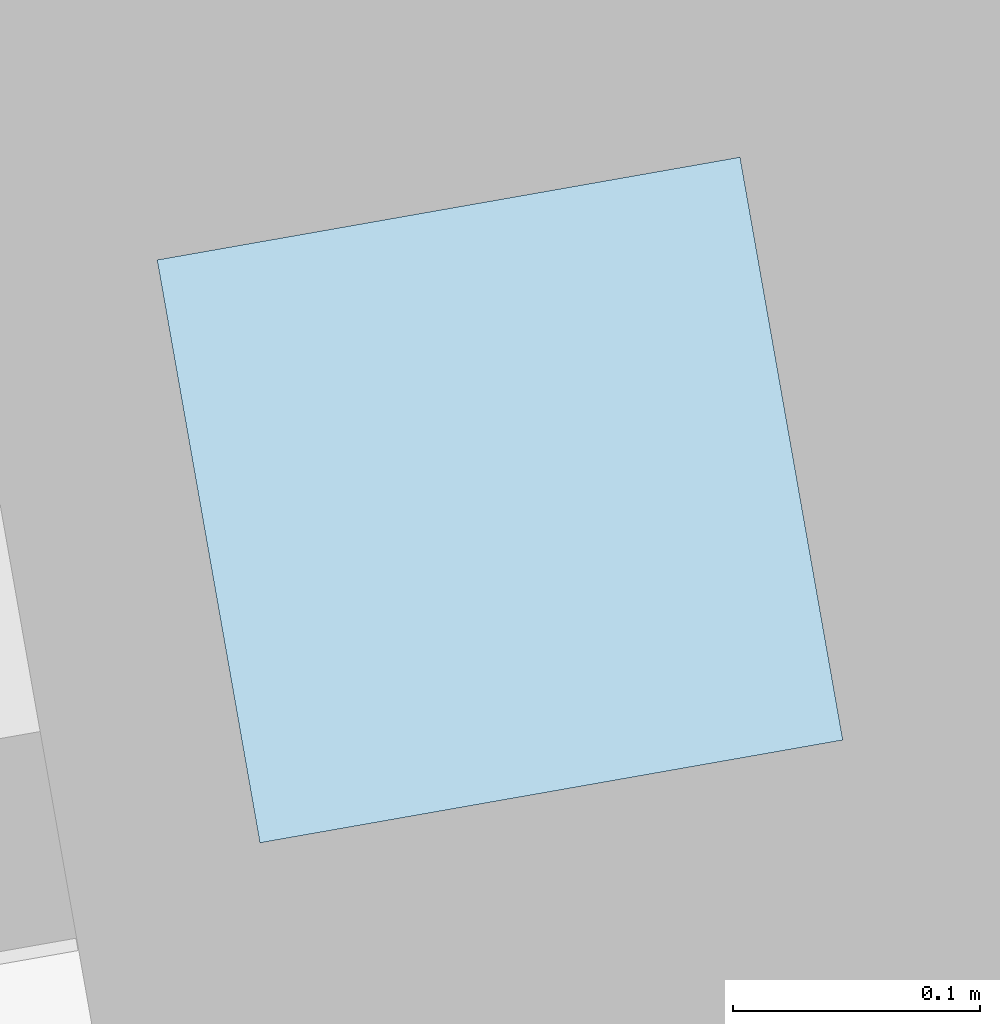
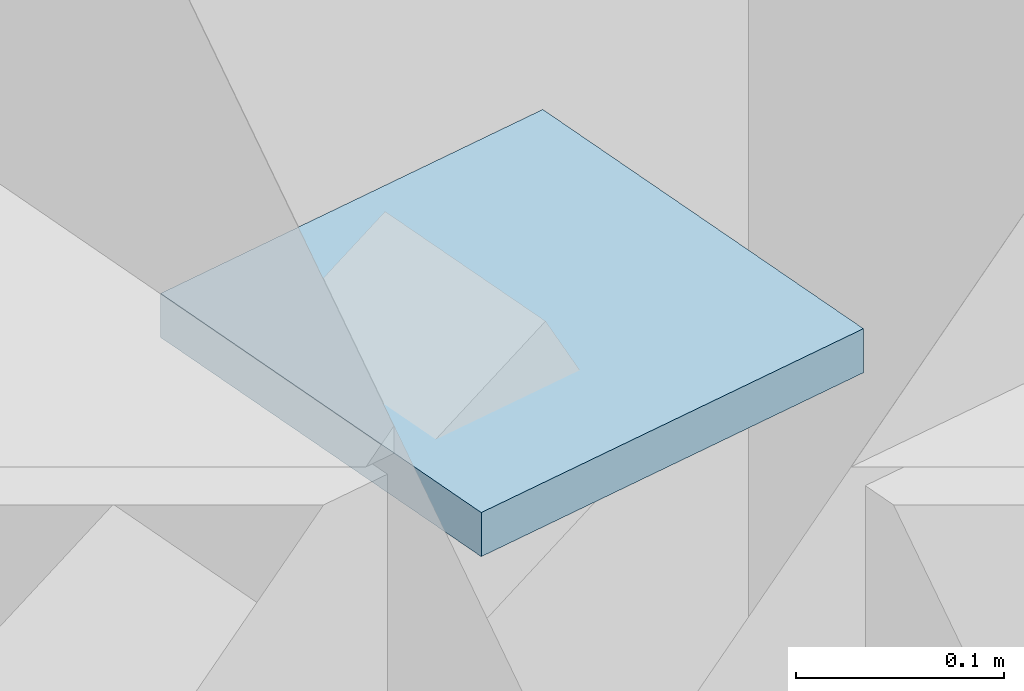
# One storey, part 24 of 36: 1 plate.
"""IFC4 building model written with IfcOpenShell, lengths in metres."""

import ifcopenshell
import ifcopenshell.guid

model = None  # the IFC model being written
_history = None  # IfcOwnerHistory: only IFC2X3 demands one
_inside = {}  # id of a spatial element -> (the spatial element, [elements in it])
_under = {}  # id of a project, library or spatial element -> (it, [spatial elements below it])
_declared = {}  # id of a project -> (the project, [libraries it declares])
_typed = {}  # id of a type object -> (the type object, [elements of that type])
_made_of = {}  # id of a material, layer set ... -> (it, [elements and type objects made of it])


def new_model(schema):
    """Start an empty IFC model of exactly this schema.

    Asked for "IFC4X3", IfcOpenShell would pick the latest addendum, in which some entities
    have other attributes; the version numbers below select the first issue.
    IFC2X3 requires an IfcOwnerHistory on every rooted entity: one is made here for all.
    """
    global model, _history
    if schema == "IFC4X3":
        model = ifcopenshell.file(schema_version=(4, 3, 0, 0))
    else:
        model = ifcopenshell.file(schema=schema)
    _inside.clear()
    _under.clear()
    _declared.clear()
    _typed.clear()
    _made_of.clear()
    _history = None
    if model.schema == "IFC2X3":
        org = make("IfcOrganization", Name="unknown")
        user = make(
            "IfcPersonAndOrganization",
            ThePerson=make("IfcPerson", FamilyName="unknown"),
            TheOrganization=org,
        )
        app = make(
            "IfcApplication",
            ApplicationDeveloper=org,
            Version="unknown",
            ApplicationFullName="unknown",
            ApplicationIdentifier="unknown",
        )
        _history = make(
            "IfcOwnerHistory",
            OwningUser=user,
            OwningApplication=app,
            ChangeAction="ADDED",
            CreationDate=0,
        )
    return model


def make(cls, **values):
    """One entity of the class cls with the attributes given. An attribute that is None is left unset."""
    return model.create_entity(
        cls, **{name: value for name, value in values.items() if value is not None}
    )


def rooted(cls, **values):
    """An entity with a GlobalId (a new one), such as an element, a storey or a relation."""
    return make(cls, GlobalId=ifcopenshell.guid.new(), OwnerHistory=_history, **values)


def si_unit(unit_type, name, prefix=None):
    """IfcSIUnit, for example si_unit("LENGTHUNIT", "METRE", prefix="MILLI")."""
    return make("IfcSIUnit", UnitType=unit_type, Prefix=prefix, Name=name)


def assignment(units):
    """IfcUnitAssignment: the units of a project."""
    return None if units is None else make("IfcUnitAssignment", Units=units)


def point(xyz):
    """IfcCartesianPoint."""
    return None if xyz is None else make("IfcCartesianPoint", Coordinates=xyz)


def direction(xyz):
    """IfcDirection."""
    return None if xyz is None else make("IfcDirection", DirectionRatios=xyz)


def frame(location, z_axis=None, x_axis=None):
    """IfcAxis2Placement3D, a coordinate frame: its origin and axes. An axis left out is left unset."""
    return make(
        "IfcAxis2Placement3D",
        Location=point(location),
        Axis=direction(z_axis),
        RefDirection=direction(x_axis),
    )


def frame_2d(location, x_axis=None):
    """IfcAxis2Placement2D, a coordinate frame in the plane: its origin and x axis."""
    return make(
        "IfcAxis2Placement2D", Location=point(location), RefDirection=direction(x_axis)
    )


def origin():
    """The frame at (0, 0, 0) with its axes left unset."""
    return frame((0.0, 0.0, 0.0))


def origin_2d():
    """The frame at (0, 0) in the plane with its x axis left unset."""
    return frame_2d((0.0, 0.0))


def place(relative_to, where):
    """IfcLocalPlacement: puts the frame where relative to a parent placement (None: the world)."""
    return make(
        "IfcLocalPlacement", PlacementRelTo=relative_to, RelativePlacement=where
    )


def context(
    kind, dimensions, precision=None, world=None, true_north=None, identifier=None
):
    """IfcGeometricRepresentationContext, for example the 3D "Model" context."""
    return make(
        "IfcGeometricRepresentationContext",
        ContextIdentifier=identifier,
        ContextType=kind,
        CoordinateSpaceDimension=dimensions,
        Precision=precision,
        WorldCoordinateSystem=world,
        TrueNorth=true_north,
    )


def subcontext(parent, identifier, kind, view, scale=None):
    """IfcGeometricRepresentationSubContext, for example "Body" below "Model"."""
    return make(
        "IfcGeometricRepresentationSubContext",
        ContextIdentifier=identifier,
        ContextType=kind,
        ParentContext=parent,
        TargetScale=scale,
        TargetView=view,
    )


def project(units=None, contexts=None):
    """IfcProject with its units and contexts."""
    return rooted(
        "IfcProject",
        Name="project",
        RepresentationContexts=contexts,
        UnitsInContext=assignment(units),
    )


def spatial(cls, under=None, at=None, **own):
    """A site, building, storey or space (cls), placed at a placement, below another one or the project."""
    s = rooted(cls, ObjectPlacement=at, **own)
    if under is not None:
        _under.setdefault(under.id(), (under, []))[1].append(s)
    return s


def profile(cls, at=None, kind="AREA", **sizes):
    """A parametric profile (cls). Its sizes go by their IFC names, for example OverallWidth=200.0."""
    return make(cls, ProfileType=kind, Position=at, **sizes)


def rectangle(**sizes):
    """IfcRectangleProfileDef."""
    return profile("IfcRectangleProfileDef", **sizes)


def extrude(swept, where, along, depth):
    """IfcExtrudedAreaSolid: the profile swept, set in the frame where, extruded along a direction by depth."""
    return make(
        "IfcExtrudedAreaSolid",
        SweptArea=swept,
        Position=where,
        ExtrudedDirection=direction(along),
        Depth=depth,
    )


def shape(context_of_items, identifier, shape_type, items):
    """IfcShapeRepresentation: the items that make up one representation, for example the "Body"."""
    return make(
        "IfcShapeRepresentation",
        ContextOfItems=context_of_items,
        RepresentationIdentifier=identifier,
        RepresentationType=shape_type,
        Items=items,
    )


def material(Name=None, Category=None):
    """IfcMaterial."""
    return make("IfcMaterial", Name=Name, Category=Category)


def layer(
    of_material, thickness, ventilated=None, Name=None, Category=None, Priority=None
):
    """IfcMaterialLayer: one layer of a wall or slab, of a material (None: an air gap)."""
    return make(
        "IfcMaterialLayer",
        Material=of_material,
        LayerThickness=thickness,
        IsVentilated=ventilated,
        Name=Name,
        Category=Category,
        Priority=Priority,
    )


def layer_set(layers, Name=None):
    """IfcMaterialLayerSet."""
    return make("IfcMaterialLayerSet", MaterialLayers=layers, LayerSetName=Name)


def made_of(thing, what):
    """Note that an element or type object is made of a material, layer set ...; save() writes the relation."""
    if what is not None:
        _made_of.setdefault(what.id(), (what, []))[1].append(thing)
    return thing


def type_object(cls, material=None, **own):
    """A type object (cls), such as IfcWallType, which elements share."""
    return made_of(rooted(cls, **own), material)


def element(
    cls,
    number,
    at=None,
    inside=None,
    cuts=None,
    type_object=None,
    material=None,
    context=None,
    identifier="Body",
    shape_type=None,
    held_by="IfcProductDefinitionShape",
    body=None,
    shapes=None,
    **own,
):
    """One element of the class cls, such as IfcWall. Its Tag is "e" and its number.

    at: its placement. inside: the storey or other place that contains it. cuts: it is an
    opening in that element (IfcRelVoidsElement). A single representation is given by context,
    identifier, shape_type and body (its items); several are given by shapes. held_by: the class
    of the entity that holds the representations. save() writes the other relations.
    """
    e = rooted(cls, Tag="e%d" % number, ObjectPlacement=at, **own)
    if body is not None:
        shapes = [shape(context, identifier, shape_type, body)]
    if shapes is not None:
        e.Representation = make(held_by, Representations=shapes)
    if inside is not None:
        _inside.setdefault(inside.id(), (inside, []))[1].append(e)
    if cuts is not None:
        rooted(
            "IfcRelVoidsElement", RelatingBuildingElement=cuts, RelatedOpeningElement=e
        )
    if type_object is not None:
        _typed.setdefault(type_object.id(), (type_object, []))[1].append(e)
    return made_of(e, material)


def aggregate(whole, parts):
    """IfcRelAggregates: a whole, such as a stair, and the parts it consists of."""
    return rooted("IfcRelAggregates", RelatingObject=whole, RelatedObjects=parts)


def save(model, path):
    """Write the relations noted so far, then the file.

    IfcRelAggregates (storeys below a building ...), IfcRelContainedInSpatialStructure (elements
    in a storey), IfcRelDefinesByType, IfcRelAssociatesMaterial and IfcRelDeclares: one each for
    every whole, place, type object, material and project.
    """
    for whole, parts in _under.values():
        aggregate(whole, parts)
    for where, things in _inside.values():
        rooted(
            "IfcRelContainedInSpatialStructure",
            RelatedElements=things,
            RelatingStructure=where,
        )
    for kind, things in _typed.values():
        rooted("IfcRelDefinesByType", RelatedObjects=things, RelatingType=kind)
    for what, things in _made_of.values():
        rooted("IfcRelAssociatesMaterial", RelatedObjects=things, RelatingMaterial=what)
    for by, libraries in _declared.values():
        rooted("IfcRelDeclares", RelatingContext=by, RelatedDefinitions=libraries)
    model.write(path)


model = new_model("IFC4")

# Units and contexts
model_context = context("Model", 3, precision=1e-05, world=origin(), true_north=direction((0.0, 1.0)))
body_context = subcontext(model_context, "Body", "Model", "MODEL_VIEW")
ifc_project = project(units=[si_unit("LENGTHUNIT", "METRE"), si_unit("AREAUNIT", "SQUARE_METRE"), si_unit("VOLUMEUNIT", "CUBIC_METRE"), si_unit("PLANEANGLEUNIT", "RADIAN"), si_unit("MASSUNIT", "GRAM", prefix="KILO")], contexts=[model_context])

# Site, building, storey
site_placement = place(None, origin())
site = spatial("IfcSite", under=ifc_project, at=site_placement, CompositionType="ELEMENT")
building_placement = place(site_placement, origin())
building = spatial("IfcBuilding", under=site, at=building_placement, Name="Kharisveld Research Institute", CompositionType="ELEMENT")
storey_placement = place(building_placement, frame((0.0, 0.0, 27.60009765625)))
storey = spatial("IfcBuildingStorey", under=building, at=storey_placement, Name="L06", CompositionType="ELEMENT", Elevation=27.60009765625)

# Plate
ifc_material = material(Name="Steel S355JR", Category="steel")
ifc_layer = layer(ifc_material, 0.02587890625)
ifc_layer_set = layer_set([ifc_layer], Name="PL_CAP_D")
plate_type = type_object("IfcPlateType", Name="PL_CAP_D", PredefinedType="SHEET", material=ifc_layer_set)
plate_placement = place(storey_placement, frame((40.66162109375, 61.368408203125, 3.757080078125), z_axis=(0.0, 0.0, 1.0), x_axis=(0.984807753012, 0.173648177667, 0.0)))
element("IfcPlate", 1, at=plate_placement, inside=storey, type_object=plate_type, Name="PLT:V1:L06:CAP_5_3", PredefinedType="SHEET", context=body_context, shape_type="SweptSolid", body=[
    extrude(rectangle(XDim=0.239990234375, YDim=0.239990234375, at=origin_2d()), origin(), (0.0, 0.0, 1.0), 0.02587890625),
])

save(model, "model.ifc")
